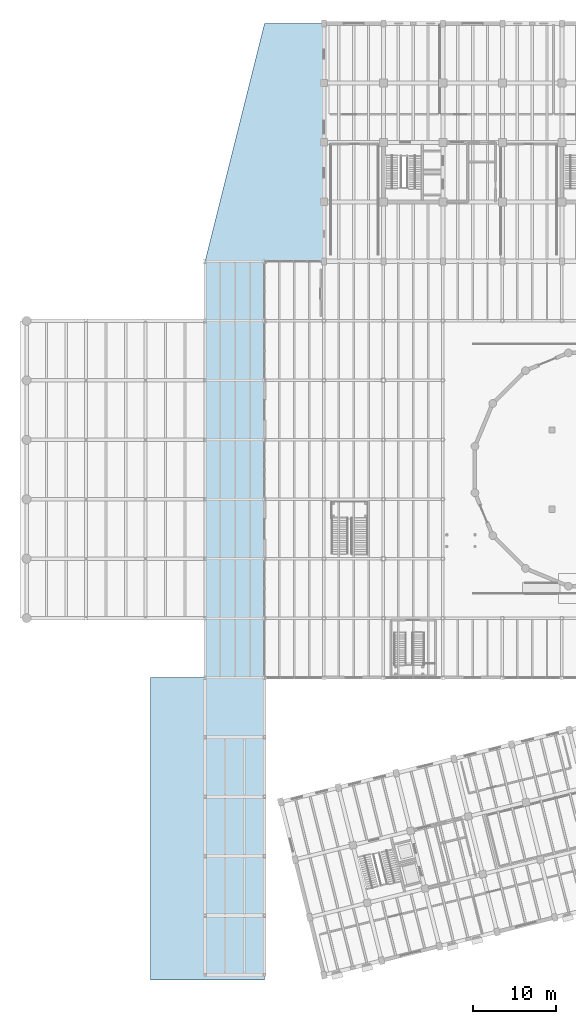
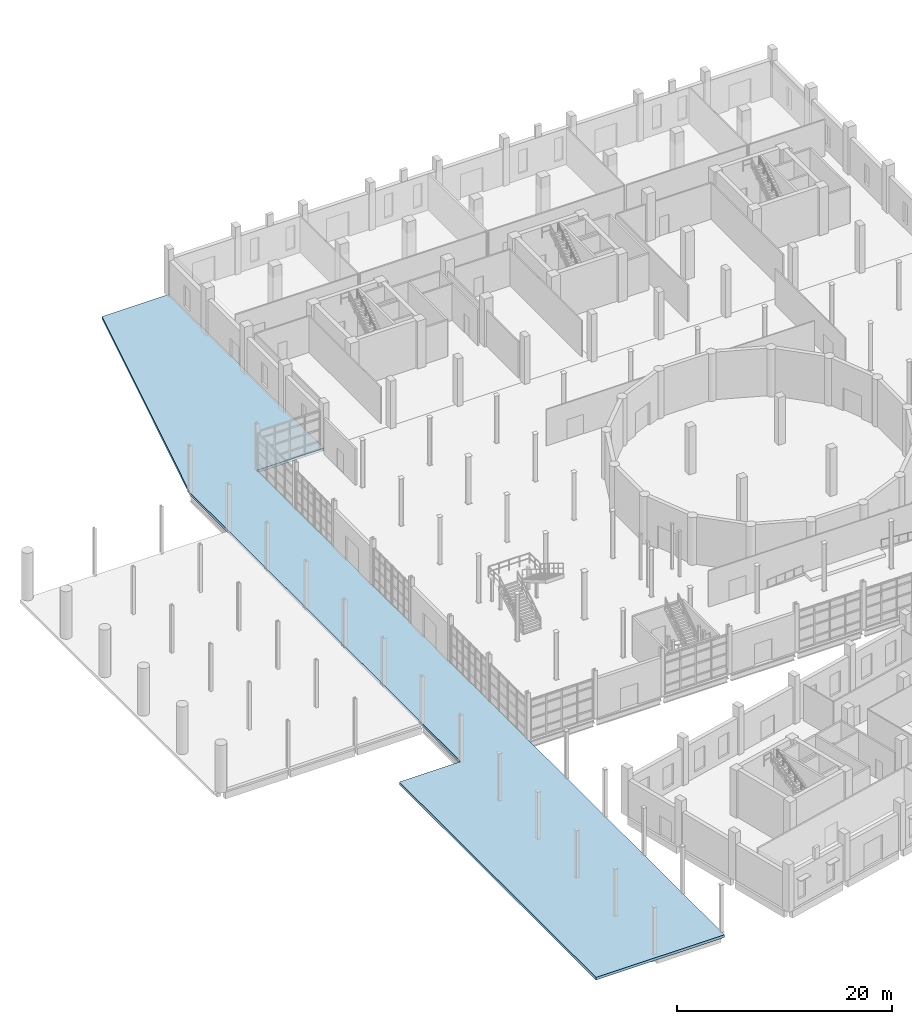
# One storey, part 49 of 79: 1 slab.
"""IFC4 building model written with IfcOpenShell, lengths in metres."""

from ifc_helpers import new_model, si_unit, direction, frame, origin, place, context, subcontext, project, spatial, polyline, outline, extrude, material, layer, layer_set, type_object, element, save


model = new_model("IFC4")

# Units and contexts
model_context = context("Model", 3, precision=1e-05, world=origin(), true_north=direction((0.0, 1.0)))
body_context = subcontext(model_context, "Body", "Model", "MODEL_VIEW")
ifc_project = project(units=[si_unit("LENGTHUNIT", "METRE"), si_unit("AREAUNIT", "SQUARE_METRE"), si_unit("VOLUMEUNIT", "CUBIC_METRE"), si_unit("PLANEANGLEUNIT", "RADIAN"), si_unit("MASSUNIT", "GRAM", prefix="KILO")], contexts=[model_context])

# Site, building, storey
site_placement = place(None, origin())
site = spatial("IfcSite", under=ifc_project, at=site_placement, CompositionType="ELEMENT")
building_placement = place(site_placement, origin())
building = spatial("IfcBuilding", under=site, at=building_placement, Name="Qiaolan Assembly House", CompositionType="ELEMENT")
storey_placement = place(building_placement, origin())
storey = spatial("IfcBuildingStorey", under=building, at=storey_placement, Name="L00", CompositionType="ELEMENT", Elevation=0.0)

# Slab
ifc_material = material(Name="Concrete C45/55", Category="concrete")
ifc_layer = layer(ifc_material, 0.300048828125)
ifc_layer_set = layer_set([ifc_layer], Name="Concrete C45/55")
slab_type = type_object("IfcSlabType", Name="SLB-HALL-300", PredefinedType="FLOOR", material=ifc_layer_set)
slab_placement = place(storey_placement, frame((0.0, 0.0, -0.300048828125)))
element("IfcSlab", 1, at=slab_placement, inside=storey, type_object=slab_type, Name="FS-02 Covered Civic Passage Ground Slab", PredefinedType="FLOOR", context=body_context, shape_type="SweptSolid", body=[
    extrude(outline(polyline([(15.0, -0.60009765625), (28.800048828125, -0.60009765625), (28.800048828125, 86.39990234375), (36.0, 86.39990234375), (36.0, 115.199951171875), (28.800048828125, 115.199951171875), (21.60009765625, 86.39990234375), (21.60009765625, 36.0), (15.0, 36.0), (15.0, -0.60009765625)])), origin(), (0.0, 0.0, 1.0), 0.300048828125),
])

save(model, "model.ifc")
